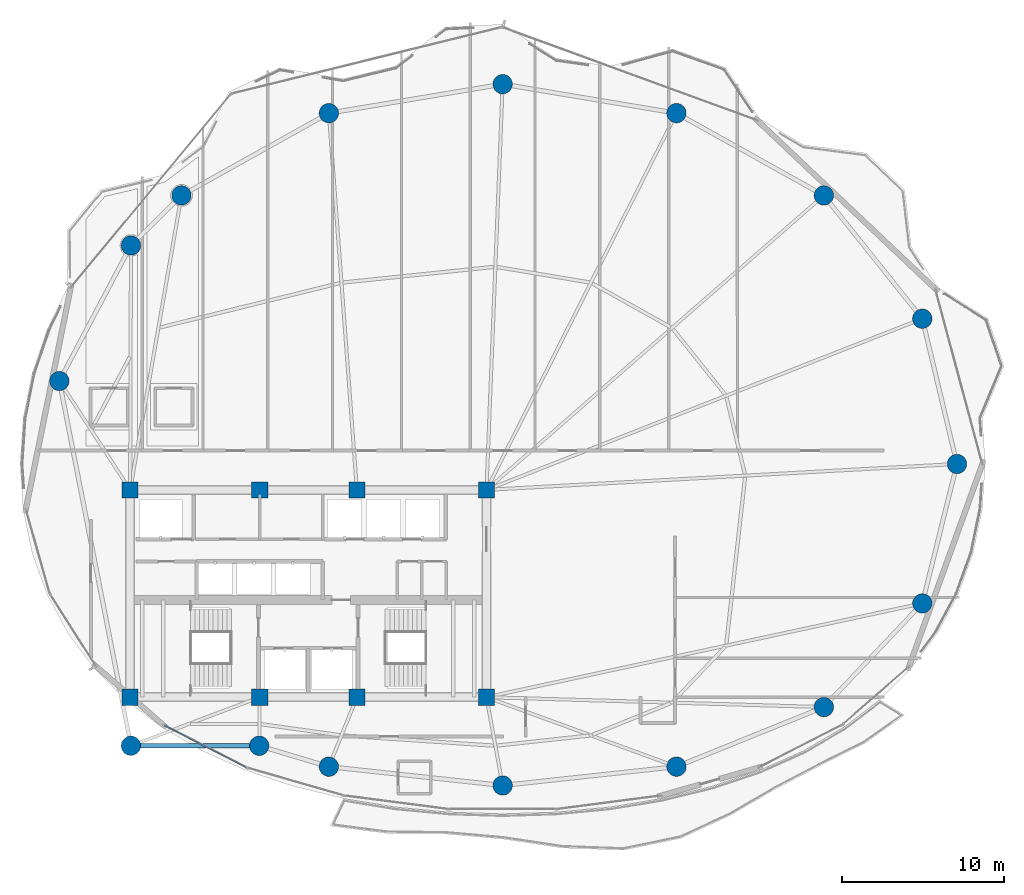
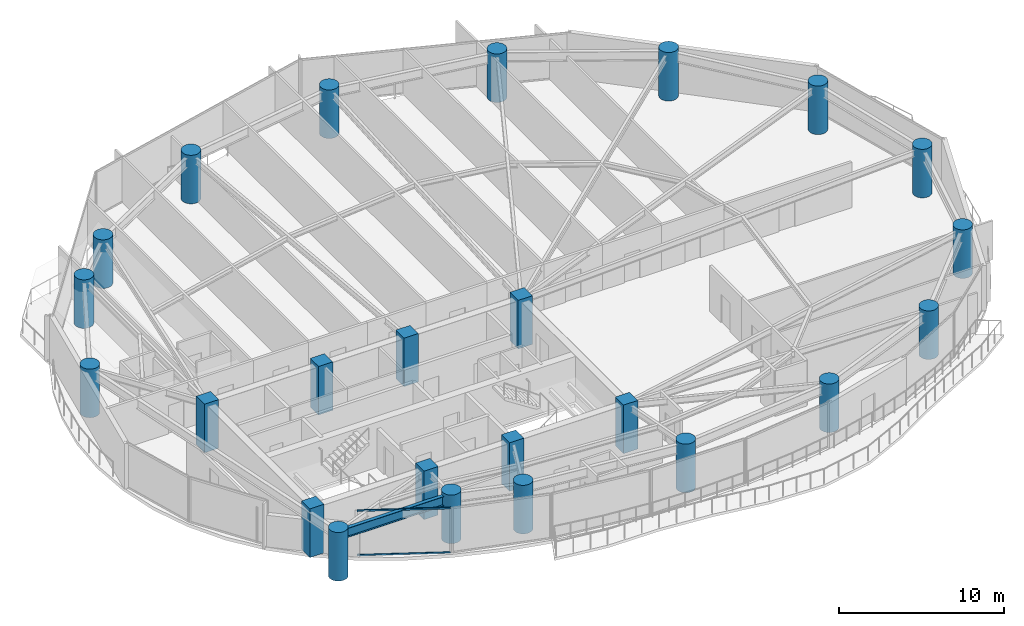
# One storey, part 1 of 28: 24 columns, 2 members, 1 beam, 1 element without a shape of its own.
"""IFC4 building model written with IfcOpenShell, lengths in metres."""

from ifc_helpers import new_model, si_unit, direction, frame, origin, origin_2d, place, context, subcontext, project, spatial, rectangle, hollow_rectangle, circle, i_section, extrude, material, layer, layer_set, material_profile, profile_set, type_object, element, aggregate, save


model = new_model("IFC4")

# Units and contexts
model_context = context("Model", 3, precision=1e-05, world=origin(), true_north=direction((0.0, 1.0)))
body_context = subcontext(model_context, "Body", "Model", "MODEL_VIEW")
ifc_project = project(units=[si_unit("LENGTHUNIT", "METRE"), si_unit("AREAUNIT", "SQUARE_METRE"), si_unit("VOLUMEUNIT", "CUBIC_METRE"), si_unit("PLANEANGLEUNIT", "RADIAN"), si_unit("MASSUNIT", "GRAM", prefix="KILO")], contexts=[model_context])

# Site, building, storey
site_placement = place(None, origin())
site = spatial("IfcSite", under=ifc_project, at=site_placement, CompositionType="ELEMENT")
building_placement = place(site_placement, origin())
building = spatial("IfcBuilding", under=site, at=building_placement, Name="Kazevale Care Tower and Concert Hall", CompositionType="ELEMENT")
storey_placement = place(building_placement, frame((0.0, 0.0, 142.199951171875)))
storey = spatial("IfcBuildingStorey", under=building, at=storey_placement, Name="L37", CompositionType="ELEMENT", Elevation=142.199951171875)

# Columns
ifc_material_1 = material(Name="Concrete C60", Category="concrete")
ifc_material_profile_1 = material_profile(ifc_material_1, rectangle(XDim=1.0, YDim=1.0, at=origin_2d()), Name="RC-SQ1000")
ifc_profile_set_1 = profile_set([ifc_material_profile_1], Name="Concrete C60")
column_type_1 = type_object("IfcColumnType", Name="Core Column SQ1000 C60", PredefinedType="COLUMN", material=ifc_profile_set_1)
for number, where, z_axis, x_axis, name in (
    (1, (22.0, 23.60009765625, 0.0), (0.0, 0.0, 1.0), (1.0, 0.0, 0.0), "col:L37:CC-01"),
    (2, (30.0, 23.60009765625, 0.0), (0.0, 0.0, 1.0), (1.0, 0.0, 0.0), "col:L37:CC-02"),
    (3, (36.0, 23.60009765625, 0.0), (0.0, 0.0, 1.0), (1.0, 0.0, 0.0), "col:L37:CC-03"),
    (4, (44.0, 23.60009765625, 0.0), (0.0, 0.0, 1.0), (1.0, 0.0, 0.0), "col:L37:CC-04"),
    (5, (44.0, 36.39990234375, 0.0), (0.0, 0.0, 1.0), (1.0, 0.0, 0.0), "col:L37:CC-05"),
    (6, (36.0, 36.39990234375, 0.0), (0.0, 0.0, 1.0), (1.0, 0.0, 0.0), "col:L37:CC-06"),
    (7, (30.0, 36.39990234375, 0.0), (0.0, 0.0, 1.0), (1.0, 0.0, 0.0), "col:L37:CC-07"),
    (8, (22.0, 36.39990234375, 0.0), (0.0, 0.0, 1.0), (1.0, 0.0, 0.0), "col:L37:CC-08"),
):
    element("IfcColumn", number, at=place(storey_placement, frame(where, z_axis=z_axis, x_axis=x_axis)), inside=storey, type_object=column_type_1, Name=name, PredefinedType="COLUMN", context=body_context, shape_type="SweptSolid", body=[
        extrude(rectangle(XDim=1.0, YDim=1.0, at=origin_2d()), origin(), (0.0, 0.0, 1.0), 3.60009765625),
    ])
ifc_material_profile_2 = material_profile(ifc_material_1, circle(Radius=0.60009765625, at=origin_2d()), Name="RC-CIR1200")
ifc_profile_set_2 = profile_set([ifc_material_profile_2], Name="Concrete C60")
column_type_2 = type_object("IfcColumnType", Name="Perimeter Column CIR1200 C60", PredefinedType="COLUMN", material=ifc_profile_set_2)
for number, where, z_axis, x_axis, name in (
    (9, (73.050048828125, 38.0, 0.0), (0.0, 0.0, 1.0), (1.0, 0.0, 0.0), "col:L37:PC-01"),
    (10, (70.909912109375, 46.969970703125, 0.0), (0.0, 0.0, 1.0), (1.0, 0.0, 0.0), "col:L37:PC-02"),
    (11, (64.830078125, 54.580078125, 0.0), (0.0, 0.0, 1.0), (1.0, 0.0, 0.0), "col:L37:PC-03"),
    (12, (55.72998046875, 59.659912109375, 0.0), (0.0, 0.0, 1.0), (1.0, 0.0, 0.0), "col:L37:PC-04"),
    (13, (45.0, 61.449951171875, 0.0), (0.0, 0.0, 1.0), (1.0, 0.0, 0.0), "col:L37:PC-05"),
    (14, (34.27001953125, 59.659912109375, 0.0), (0.0, 0.0, 1.0), (1.0, 0.0, 0.0), "col:L37:PC-06"),
    (15, (25.169921875, 54.580078125, 0.0), (0.0, 0.0, 1.0), (1.0, 0.0, 0.0), "col:L37:PC-07"),
    (16, (22.050048828125, 51.489990234375, 0.0), (0.0, 0.0, 1.0), (1.0, 0.0, 0.0), "col:L37:PC-08"),
    (17, (17.6298828125, 43.1201171875, 0.0), (0.0, 0.0, 1.0), (1.0, 0.0, 0.0), "col:L37:PC-09"),
    (18, (22.050048828125, 20.60009765625, 0.0), (0.0, 0.0, 1.0), (1.0, 0.0, 0.0), "col:L37:PC-10"),
    (19, (29.969970703125, 20.60009765625, 0.0), (0.0, 0.0, 1.0), (1.0, 0.0, 0.0), "col:L37:PC-11"),
    (20, (34.27001953125, 19.31005859375, 0.0), (0.0, 0.0, 1.0), (1.0, 0.0, 0.0), "col:L37:PC-12"),
    (21, (45.0, 18.14990234375, 0.0), (0.0, 0.0, 1.0), (1.0, 0.0, 0.0), "col:L37:PC-13"),
    (22, (55.72998046875, 19.31005859375, 0.0), (0.0, 0.0, 1.0), (1.0, 0.0, 0.0), "col:L37:PC-14"),
    (23, (64.830078125, 22.989990234375, 0.0), (0.0, 0.0, 1.0), (1.0, 0.0, 0.0), "col:L37:PC-15"),
    (24, (70.909912109375, 29.389892578125, 0.0), (0.0, 0.0, 1.0), (1.0, 0.0, 0.0), "col:L37:PC-16"),
):
    element("IfcColumn", number, at=place(storey_placement, frame(where, z_axis=z_axis, x_axis=x_axis)), inside=storey, type_object=column_type_2, Name=name, PredefinedType="COLUMN", context=body_context, shape_type="SweptSolid", body=[
        extrude(circle(Radius=0.60009765625, at=origin_2d()), origin(), (0.0, 0.0, 1.0), 3.60009765625),
    ])

# Curtain wall, members
ifc_material_2 = material(Name="Aluminium 6063-T6 and Low-E Glass", Category="aluminium")
ifc_layer = layer(ifc_material_2, 0.179931640625)
ifc_layer_set = layer_set([ifc_layer], Name="Aluminium 6063-T6 and Low-E Glass")
curtain_wall_type = type_object("IfcCurtainWallType", Name="Sheltered Concave Balcony Curtain Wall CW-5", PredefinedType="NOTDEFINED", material=ifc_layer_set)
curtain_wall_placement = place(storey_placement, origin())
curtain_wall = element("IfcCurtainWall", 25, at=curtain_wall_placement, inside=storey, type_object=curtain_wall_type, Name="cw:L37:f09", PredefinedType="NOTDEFINED")
ifc_material_3 = material(Name="Aluminium 6063-T6", Category="aluminium")
ifc_material_profile_3 = material_profile(ifc_material_3, hollow_rectangle(XDim=0.074951171875, YDim=0.1201171875, WallThickness=0.00390625, at=origin_2d()), Name="ALU75x120x4")
ifc_profile_set_3 = profile_set([ifc_material_profile_3], Name="Aluminium 6063-T6")
member_type = type_object("IfcMemberType", Name="CW-5 Transom ALU75x120x4", PredefinedType="USERDEFINED", material=ifc_profile_set_3)
member_1_placement = place(storey_placement, frame((29.144287109375, 19.279296875, 0.03759765625), z_axis=(-0.890142600475, 0.455682072084, 0.0), x_axis=(-0.455682072084, -0.890142600475, 0.0)))
member_1 = element("IfcMember", 26, at=member_1_placement, type_object=member_type, Name="CW-5 transom 1.1", ObjectType="TRANSOM", PredefinedType="USERDEFINED", context=body_context, shape_type="SweptSolid", body=[
    extrude(hollow_rectangle(XDim=0.074951171875, YDim=0.1201171875, WallThickness=0.00390625, at=origin_2d()), origin(), (0.0, 0.0, 1.0), 5.671630859375),
])
member_2_placement = place(storey_placement, frame((29.144287109375, 19.279296875, 3.322509765625), z_axis=(-0.890142600475, 0.455682072084, 0.0), x_axis=(-0.455682072084, -0.890142600475, 0.0)))
member_2 = element("IfcMember", 27, at=member_2_placement, type_object=member_type, Name="CW-5 transom 1.2", ObjectType="TRANSOM", PredefinedType="USERDEFINED", context=body_context, shape_type="SweptSolid", body=[
    extrude(hollow_rectangle(XDim=0.074951171875, YDim=0.1201171875, WallThickness=0.00390625, at=origin_2d()), origin(), (0.0, 0.0, 1.0), 5.671630859375),
])
aggregate(curtain_wall, [member_1, member_2])

# Beam
ifc_material_4 = material(Name="Steel ASTM A572 Gr 50", Category="steel")
ifc_material_profile_4 = material_profile(ifc_material_4, i_section(OverallWidth=0.256103515625, OverallDepth=0.693115234375, WebThickness=0.014404296875, FlangeThickness=0.023681640625, at=origin_2d()), Name="W690x170")
ifc_profile_set_4 = profile_set([ifc_material_profile_4], Name="Steel ASTM A572 Gr 50")
beam_type = type_object("IfcBeamType", Name="Waist Ring Beam W690x170", PredefinedType="BEAM", material=ifc_profile_set_4)
beam_placement = place(storey_placement, frame((22.050048828125, 20.60009765625, 3.013427734375), z_axis=(1.0, 0.0, 0.0), x_axis=(0.0, 1.0, 0.0)))
element("IfcBeam", 28, at=beam_placement, inside=storey, type_object=beam_type, Name="beam:L37:ring:10", PredefinedType="BEAM", context=body_context, shape_type="SweptSolid", body=[
    extrude(i_section(OverallWidth=0.256103515625, OverallDepth=0.693115234375, WebThickness=0.014404296875, FlangeThickness=0.023681640625, at=origin_2d()), origin(), (0.0, 0.0, 1.0), 7.919921875),
])

save(model, "model.ifc")
